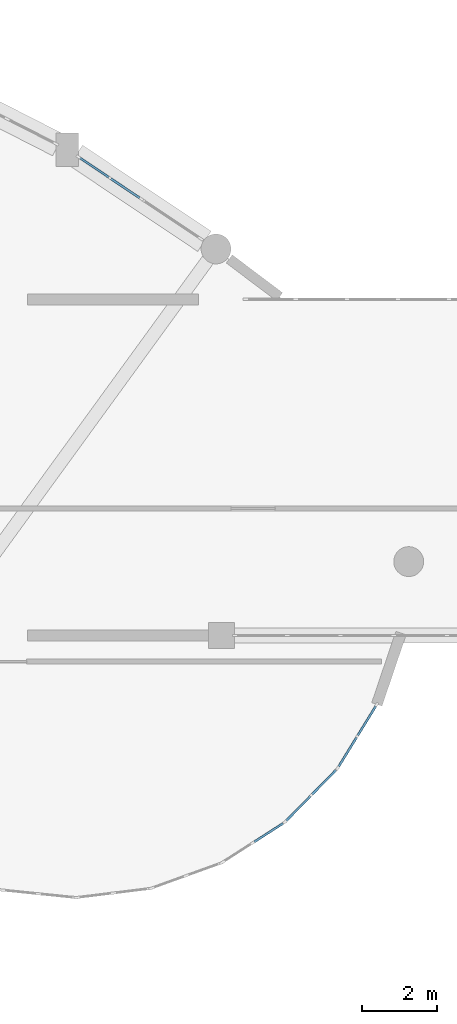
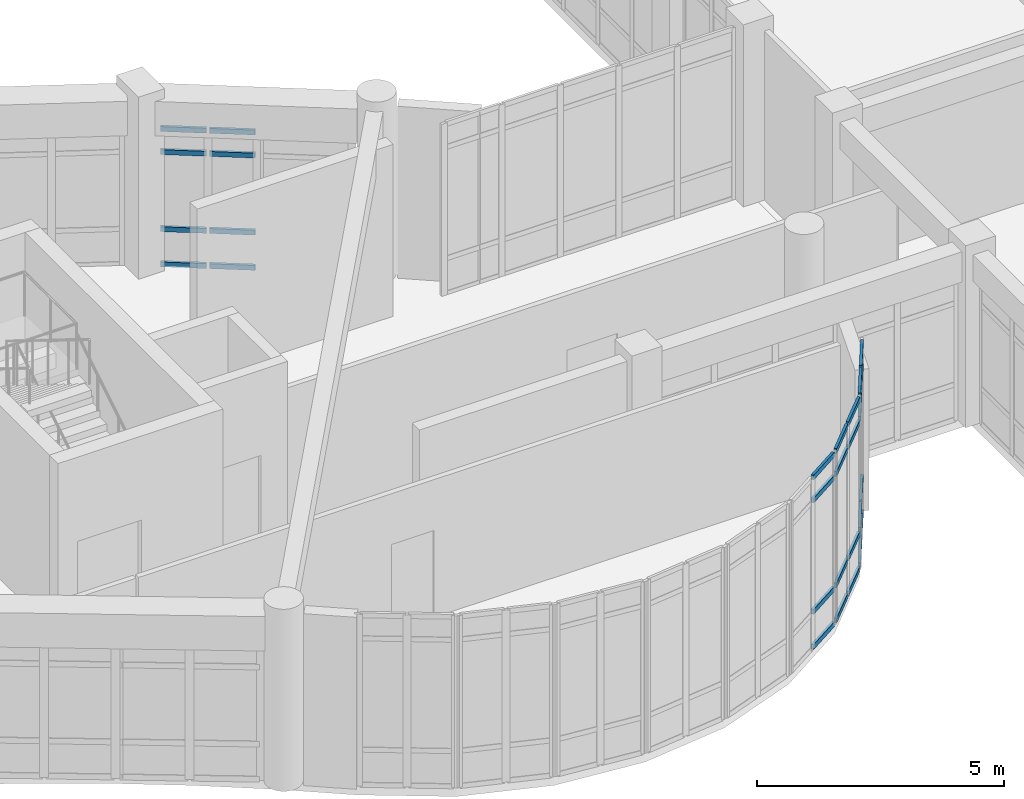
# One storey, part 30 of 57: 28 members, 4 elements without a shape of their own.
"""IFC4 building model written with IfcOpenShell, lengths in metres."""

from ifc_helpers import new_model, si_unit, direction, frame, origin, origin_2d, place, context, subcontext, project, spatial, rectangle, extrude, material, layer, layer_set, material_profile, profile_set, type_object, element, aggregate, save


model = new_model("IFC4")

# Units and contexts
model_context = context("Model", 3, precision=1e-05, world=origin(), true_north=direction((0.0, 1.0)))
body_context = subcontext(model_context, "Body", "Model", "MODEL_VIEW")
ifc_project = project(units=[si_unit("LENGTHUNIT", "METRE"), si_unit("AREAUNIT", "SQUARE_METRE"), si_unit("VOLUMEUNIT", "CUBIC_METRE"), si_unit("PLANEANGLEUNIT", "RADIAN"), si_unit("MASSUNIT", "GRAM", prefix="KILO")], contexts=[model_context])

# Site, building, storey
site_placement = place(None, origin())
site = spatial("IfcSite", under=ifc_project, at=site_placement, CompositionType="ELEMENT")
building_placement = place(site_placement, origin())
building = spatial("IfcBuilding", under=site, at=building_placement, Name="Miralva Faculty of Natural Sciences", CompositionType="ELEMENT")
storey_placement = place(building_placement, frame((0.0, 0.0, 15.0)))
storey = spatial("IfcBuildingStorey", under=building, at=storey_placement, Name="L03", CompositionType="ELEMENT", Elevation=15.0)

# Curtain wall, members
ifc_material_1 = material(Name="Laminated solar-control glass", Category="glass")
ifc_layer_1 = layer(ifc_material_1, 0.179931640625, Name="CW-ARC-L03")
ifc_layer_set_1 = layer_set([ifc_layer_1], Name="Laminated solar-control glass")
curtain_wall_type_1 = type_object("IfcCurtainWallType", Name="CW-ARC-L03", PredefinedType="USERDEFINED", material=ifc_layer_set_1)
curtain_wall_1_placement = place(storey_placement, origin())
curtain_wall_1 = element("IfcCurtainWall", 1, at=curtain_wall_1_placement, inside=storey, type_object=curtain_wall_type_1, Name="Curtain wall CW-03 L03-139", ObjectType="UNITISED CURTAIN WALL", PredefinedType="USERDEFINED")
ifc_material_2 = material(Name="Anodised aluminium", Category="aluminium")
ifc_material_profile = material_profile(ifc_material_2, rectangle(XDim=0.06005859375, YDim=0.1201171875, at=origin_2d()), Name="TRANSOM 60x120")
ifc_profile_set = profile_set([ifc_material_profile], Name="Anodised aluminium")
member_type = type_object("IfcMemberType", Name="CW-T02", PredefinedType="USERDEFINED", material=ifc_profile_set)
member_1_placement = place(storey_placement, frame((122.21337890625, 30.783203125, 0.030029296875), z_axis=(0.83148276453, -0.555550548815, 0.0), x_axis=(0.555550548815, 0.83148276453, 0.0)))
member_1 = element("IfcMember", 2, at=member_1_placement, type_object=member_type, Name="CW-03 transom 1.1", ObjectType="TRANSOM", PredefinedType="USERDEFINED", context=body_context, shape_type="SweptSolid", body=[
    extrude(rectangle(XDim=0.06005859375, YDim=0.1201171875, at=origin_2d()), origin(), (0.0, 0.0, 1.0), 0.92724609375),
])
member_2_placement = place(storey_placement, frame((122.21337890625, 30.783203125, 0.89990234375), z_axis=(0.83148276453, -0.555550548815, 0.0), x_axis=(0.555550548815, 0.83148276453, 0.0)))
member_2 = element("IfcMember", 3, at=member_2_placement, type_object=member_type, Name="CW-03 transom 1.2", ObjectType="TRANSOM", PredefinedType="USERDEFINED", context=body_context, shape_type="SweptSolid", body=[
    extrude(rectangle(XDim=0.06005859375, YDim=0.1201171875, at=origin_2d()), origin(), (0.0, 0.0, 1.0), 0.92724609375),
])
member_3_placement = place(storey_placement, frame((122.21337890625, 30.783203125, 2.804931640625), z_axis=(0.83148276453, -0.555550548815, 0.0), x_axis=(0.555550548815, 0.83148276453, 0.0)))
member_3 = element("IfcMember", 4, at=member_3_placement, type_object=member_type, Name="CW-03 transom 1.3", ObjectType="TRANSOM", PredefinedType="USERDEFINED", context=body_context, shape_type="SweptSolid", body=[
    extrude(rectangle(XDim=0.06005859375, YDim=0.1201171875, at=origin_2d()), origin(), (0.0, 0.0, 1.0), 0.92724609375),
])
member_4_placement = place(storey_placement, frame((122.21337890625, 30.783203125, 3.375), z_axis=(0.83148276453, -0.555550548815, 0.0), x_axis=(0.555550548815, 0.83148276453, 0.0)))
member_4 = element("IfcMember", 5, at=member_4_placement, type_object=member_type, Name="CW-03 transom 1.4", ObjectType="TRANSOM", PredefinedType="USERDEFINED", context=body_context, shape_type="SweptSolid", body=[
    extrude(rectangle(XDim=0.06005859375, YDim=0.1201171875, at=origin_2d()), origin(), (0.0, 0.0, 1.0), 0.92724609375),
])
member_5_placement = place(storey_placement, frame((123.03857421875, 30.23193359375, 0.030029296875), z_axis=(0.831361138772, -0.555732540832, 0.0), x_axis=(0.555732540832, 0.831361138772, 0.0)))
member_5 = element("IfcMember", 6, at=member_5_placement, type_object=member_type, Name="CW-03 transom 2.1", ObjectType="TRANSOM", PredefinedType="USERDEFINED", context=body_context, shape_type="SweptSolid", body=[
    extrude(rectangle(XDim=0.06005859375, YDim=0.1201171875, at=origin_2d()), origin(), (0.0, 0.0, 1.0), 0.927490234375),
])
member_6_placement = place(storey_placement, frame((123.03857421875, 30.23193359375, 0.89990234375), z_axis=(0.831361138772, -0.555732540832, 0.0), x_axis=(0.555732540832, 0.831361138772, 0.0)))
member_6 = element("IfcMember", 7, at=member_6_placement, type_object=member_type, Name="CW-03 transom 2.2", ObjectType="TRANSOM", PredefinedType="USERDEFINED", context=body_context, shape_type="SweptSolid", body=[
    extrude(rectangle(XDim=0.06005859375, YDim=0.1201171875, at=origin_2d()), origin(), (0.0, 0.0, 1.0), 0.927490234375),
])
member_7_placement = place(storey_placement, frame((123.03857421875, 30.23193359375, 2.804931640625), z_axis=(0.831361138772, -0.555732540832, 0.0), x_axis=(0.555732540832, 0.831361138772, 0.0)))
member_7 = element("IfcMember", 8, at=member_7_placement, type_object=member_type, Name="CW-03 transom 2.3", ObjectType="TRANSOM", PredefinedType="USERDEFINED", context=body_context, shape_type="SweptSolid", body=[
    extrude(rectangle(XDim=0.06005859375, YDim=0.1201171875, at=origin_2d()), origin(), (0.0, 0.0, 1.0), 0.927490234375),
])
member_8_placement = place(storey_placement, frame((123.03857421875, 30.23193359375, 3.375), z_axis=(0.831361138772, -0.555732540832, 0.0), x_axis=(0.555732540832, 0.831361138772, 0.0)))
member_8 = element("IfcMember", 9, at=member_8_placement, type_object=member_type, Name="CW-03 transom 2.4", ObjectType="TRANSOM", PredefinedType="USERDEFINED", context=body_context, shape_type="SweptSolid", body=[
    extrude(rectangle(XDim=0.06005859375, YDim=0.1201171875, at=origin_2d()), origin(), (0.0, 0.0, 1.0), 0.927490234375),
])
aggregate(curtain_wall_1, [member_1, member_2, member_3, member_4, member_5, member_6, member_7, member_8])

ifc_layer_2 = layer(ifc_material_1, 0.179931640625, Name="CW-RND-L03")
ifc_layer_set_2 = layer_set([ifc_layer_2], Name="Laminated solar-control glass")
curtain_wall_type_2 = type_object("IfcCurtainWallType", Name="CW-RND-L03", PredefinedType="USERDEFINED", material=ifc_layer_set_2)
curtain_wall_2_placement = place(storey_placement, origin())
curtain_wall_2 = element("IfcCurtainWall", 10, at=curtain_wall_2_placement, inside=storey, type_object=curtain_wall_type_2, Name="Curtain wall CW-06 L03-149", ObjectType="UNITISED CURTAIN WALL", PredefinedType="USERDEFINED")
member_9_placement = place(storey_placement, frame((129.140625, 14.490966796875, 0.030029296875), z_axis=(0.52351521274, 0.852016327326, 0.0), x_axis=(-0.852016327326, 0.52351521274, 0.0)))
member_9 = element("IfcMember", 11, at=member_9_placement, type_object=member_type, Name="CW-06 transom 1.1", ObjectType="TRANSOM", PredefinedType="USERDEFINED", context=body_context, shape_type="SweptSolid", body=[
    extrude(rectangle(XDim=0.06005859375, YDim=0.1201171875, at=origin_2d()), origin(), (0.0, 0.0, 1.0), 0.91259765625),
])
member_10_placement = place(storey_placement, frame((129.140625, 14.490966796875, 0.89990234375), z_axis=(0.52351521274, 0.852016327326, 0.0), x_axis=(-0.852016327326, 0.52351521274, 0.0)))
member_10 = element("IfcMember", 12, at=member_10_placement, type_object=member_type, Name="CW-06 transom 1.2", ObjectType="TRANSOM", PredefinedType="USERDEFINED", context=body_context, shape_type="SweptSolid", body=[
    extrude(rectangle(XDim=0.06005859375, YDim=0.1201171875, at=origin_2d()), origin(), (0.0, 0.0, 1.0), 0.91259765625),
])
member_11_placement = place(storey_placement, frame((129.140625, 14.490966796875, 3.64990234375), z_axis=(0.52351521274, 0.852016327326, 0.0), x_axis=(-0.852016327326, 0.52351521274, 0.0)))
member_11 = element("IfcMember", 13, at=member_11_placement, type_object=member_type, Name="CW-06 transom 1.3", ObjectType="TRANSOM", PredefinedType="USERDEFINED", context=body_context, shape_type="SweptSolid", body=[
    extrude(rectangle(XDim=0.06005859375, YDim=0.1201171875, at=origin_2d()), origin(), (0.0, 0.0, 1.0), 0.91259765625),
])
member_12_placement = place(storey_placement, frame((129.140625, 14.490966796875, 4.219970703125), z_axis=(0.52351521274, 0.852016327326, 0.0), x_axis=(-0.852016327326, 0.52351521274, 0.0)))
member_12 = element("IfcMember", 14, at=member_12_placement, type_object=member_type, Name="CW-06 transom 1.4", ObjectType="TRANSOM", PredefinedType="USERDEFINED", context=body_context, shape_type="SweptSolid", body=[
    extrude(rectangle(XDim=0.06005859375, YDim=0.1201171875, at=origin_2d()), origin(), (0.0, 0.0, 1.0), 0.91259765625),
])
member_13_placement = place(storey_placement, frame((129.65234375, 15.323974609375, 0.030029296875), z_axis=(0.523709365282, 0.851897001237, 0.0), x_axis=(-0.851897001237, 0.523709365282, 0.0)))
member_13 = element("IfcMember", 15, at=member_13_placement, type_object=member_type, Name="CW-06 transom 2.1", ObjectType="TRANSOM", PredefinedType="USERDEFINED", context=body_context, shape_type="SweptSolid", body=[
    extrude(rectangle(XDim=0.06005859375, YDim=0.1201171875, at=origin_2d()), origin(), (0.0, 0.0, 1.0), 0.912841796875),
])
member_14_placement = place(storey_placement, frame((129.65234375, 15.323974609375, 0.89990234375), z_axis=(0.523709365282, 0.851897001237, 0.0), x_axis=(-0.851897001237, 0.523709365282, 0.0)))
member_14 = element("IfcMember", 16, at=member_14_placement, type_object=member_type, Name="CW-06 transom 2.2", ObjectType="TRANSOM", PredefinedType="USERDEFINED", context=body_context, shape_type="SweptSolid", body=[
    extrude(rectangle(XDim=0.06005859375, YDim=0.1201171875, at=origin_2d()), origin(), (0.0, 0.0, 1.0), 0.912841796875),
])
member_15_placement = place(storey_placement, frame((129.65234375, 15.323974609375, 3.64990234375), z_axis=(0.523709365282, 0.851897001237, 0.0), x_axis=(-0.851897001237, 0.523709365282, 0.0)))
member_15 = element("IfcMember", 17, at=member_15_placement, type_object=member_type, Name="CW-06 transom 2.3", ObjectType="TRANSOM", PredefinedType="USERDEFINED", context=body_context, shape_type="SweptSolid", body=[
    extrude(rectangle(XDim=0.06005859375, YDim=0.1201171875, at=origin_2d()), origin(), (0.0, 0.0, 1.0), 0.912841796875),
])
member_16_placement = place(storey_placement, frame((129.65234375, 15.323974609375, 4.219970703125), z_axis=(0.523709365282, 0.851897001237, 0.0), x_axis=(-0.851897001237, 0.523709365282, 0.0)))
member_16 = element("IfcMember", 18, at=member_16_placement, type_object=member_type, Name="CW-06 transom 2.4", ObjectType="TRANSOM", PredefinedType="USERDEFINED", context=body_context, shape_type="SweptSolid", body=[
    extrude(rectangle(XDim=0.06005859375, YDim=0.1201171875, at=origin_2d()), origin(), (0.0, 0.0, 1.0), 0.912841796875),
])
aggregate(curtain_wall_2, [member_9, member_10, member_11, member_12, member_13, member_14, member_15, member_16])

curtain_wall_3_placement = place(storey_placement, origin())
curtain_wall_3 = element("IfcCurtainWall", 19, at=curtain_wall_3_placement, inside=storey, type_object=curtain_wall_type_2, Name="Curtain wall CW-06 L03-150", ObjectType="UNITISED CURTAIN WALL", PredefinedType="USERDEFINED")
member_17_placement = place(storey_placement, frame((127.7412109375, 13.042724609375, 0.030029296875), z_axis=(0.699983155997, 0.71415935289, 0.0), x_axis=(-0.71415935289, 0.699983155997, 0.0)))
member_17 = element("IfcMember", 20, at=member_17_placement, type_object=member_type, Name="CW-06 transom 1.1", ObjectType="TRANSOM", PredefinedType="USERDEFINED", context=body_context, shape_type="SweptSolid", body=[
    extrude(rectangle(XDim=0.06005859375, YDim=0.1201171875, at=origin_2d()), origin(), (0.0, 0.0, 1.0), 0.912841796875),
])
member_18_placement = place(storey_placement, frame((127.7412109375, 13.042724609375, 0.89990234375), z_axis=(0.699983155997, 0.71415935289, 0.0), x_axis=(-0.71415935289, 0.699983155997, 0.0)))
member_18 = element("IfcMember", 21, at=member_18_placement, type_object=member_type, Name="CW-06 transom 1.2", ObjectType="TRANSOM", PredefinedType="USERDEFINED", context=body_context, shape_type="SweptSolid", body=[
    extrude(rectangle(XDim=0.06005859375, YDim=0.1201171875, at=origin_2d()), origin(), (0.0, 0.0, 1.0), 0.912841796875),
])
member_19_placement = place(storey_placement, frame((127.7412109375, 13.042724609375, 3.64990234375), z_axis=(0.699983155997, 0.71415935289, 0.0), x_axis=(-0.71415935289, 0.699983155997, 0.0)))
member_19 = element("IfcMember", 22, at=member_19_placement, type_object=member_type, Name="CW-06 transom 1.3", ObjectType="TRANSOM", PredefinedType="USERDEFINED", context=body_context, shape_type="SweptSolid", body=[
    extrude(rectangle(XDim=0.06005859375, YDim=0.1201171875, at=origin_2d()), origin(), (0.0, 0.0, 1.0), 0.912841796875),
])
member_20_placement = place(storey_placement, frame((127.7412109375, 13.042724609375, 4.219970703125), z_axis=(0.699983155997, 0.71415935289, 0.0), x_axis=(-0.71415935289, 0.699983155997, 0.0)))
member_20 = element("IfcMember", 23, at=member_20_placement, type_object=member_type, Name="CW-06 transom 1.4", ObjectType="TRANSOM", PredefinedType="USERDEFINED", context=body_context, shape_type="SweptSolid", body=[
    extrude(rectangle(XDim=0.06005859375, YDim=0.1201171875, at=origin_2d()), origin(), (0.0, 0.0, 1.0), 0.912841796875),
])
member_21_placement = place(storey_placement, frame((128.425537109375, 13.740966796875, 0.030029296875), z_axis=(0.699983155997, 0.71415935289, 0.0), x_axis=(-0.71415935289, 0.699983155997, 0.0)))
member_21 = element("IfcMember", 24, at=member_21_placement, type_object=member_type, Name="CW-06 transom 2.1", ObjectType="TRANSOM", PredefinedType="USERDEFINED", context=body_context, shape_type="SweptSolid", body=[
    extrude(rectangle(XDim=0.06005859375, YDim=0.1201171875, at=origin_2d()), origin(), (0.0, 0.0, 1.0), 0.912841796875),
])
member_22_placement = place(storey_placement, frame((128.425537109375, 13.740966796875, 0.89990234375), z_axis=(0.699983155997, 0.71415935289, 0.0), x_axis=(-0.71415935289, 0.699983155997, 0.0)))
member_22 = element("IfcMember", 25, at=member_22_placement, type_object=member_type, Name="CW-06 transom 2.2", ObjectType="TRANSOM", PredefinedType="USERDEFINED", context=body_context, shape_type="SweptSolid", body=[
    extrude(rectangle(XDim=0.06005859375, YDim=0.1201171875, at=origin_2d()), origin(), (0.0, 0.0, 1.0), 0.912841796875),
])
member_23_placement = place(storey_placement, frame((128.425537109375, 13.740966796875, 3.64990234375), z_axis=(0.699983155997, 0.71415935289, 0.0), x_axis=(-0.71415935289, 0.699983155997, 0.0)))
member_23 = element("IfcMember", 26, at=member_23_placement, type_object=member_type, Name="CW-06 transom 2.3", ObjectType="TRANSOM", PredefinedType="USERDEFINED", context=body_context, shape_type="SweptSolid", body=[
    extrude(rectangle(XDim=0.06005859375, YDim=0.1201171875, at=origin_2d()), origin(), (0.0, 0.0, 1.0), 0.912841796875),
])
member_24_placement = place(storey_placement, frame((128.425537109375, 13.740966796875, 4.219970703125), z_axis=(0.699983155997, 0.71415935289, 0.0), x_axis=(-0.71415935289, 0.699983155997, 0.0)))
member_24 = element("IfcMember", 27, at=member_24_placement, type_object=member_type, Name="CW-06 transom 2.4", ObjectType="TRANSOM", PredefinedType="USERDEFINED", context=body_context, shape_type="SweptSolid", body=[
    extrude(rectangle(XDim=0.06005859375, YDim=0.1201171875, at=origin_2d()), origin(), (0.0, 0.0, 1.0), 0.912841796875),
])
aggregate(curtain_wall_3, [member_17, member_18, member_19, member_20, member_21, member_22, member_23, member_24])

curtain_wall_4_placement = place(storey_placement, origin())
curtain_wall_4 = element("IfcCurtainWall", 28, at=curtain_wall_4_placement, inside=storey, type_object=curtain_wall_type_2, Name="Curtain wall CW-06 L03-151", ObjectType="UNITISED CURTAIN WALL", PredefinedType="USERDEFINED")
member_25_placement = place(storey_placement, frame((126.877197265625, 12.470703125, 0.030029296875), z_axis=(0.841473826714, 0.540297879836, 0.0), x_axis=(-0.540297879836, 0.841473826714, 0.0)))
member_25 = element("IfcMember", 29, at=member_25_placement, type_object=member_type, Name="CW-06 transom 2.1", ObjectType="TRANSOM", PredefinedType="USERDEFINED", context=body_context, shape_type="SweptSolid", body=[
    extrude(rectangle(XDim=0.06005859375, YDim=0.1201171875, at=origin_2d()), origin(), (0.0, 0.0, 1.0), 0.912841796875),
])
member_26_placement = place(storey_placement, frame((126.877197265625, 12.470703125, 0.89990234375), z_axis=(0.841473826714, 0.540297879836, 0.0), x_axis=(-0.540297879836, 0.841473826714, 0.0)))
member_26 = element("IfcMember", 30, at=member_26_placement, type_object=member_type, Name="CW-06 transom 2.2", ObjectType="TRANSOM", PredefinedType="USERDEFINED", context=body_context, shape_type="SweptSolid", body=[
    extrude(rectangle(XDim=0.06005859375, YDim=0.1201171875, at=origin_2d()), origin(), (0.0, 0.0, 1.0), 0.912841796875),
])
member_27_placement = place(storey_placement, frame((126.877197265625, 12.470703125, 3.64990234375), z_axis=(0.841473826714, 0.540297879836, 0.0), x_axis=(-0.540297879836, 0.841473826714, 0.0)))
member_27 = element("IfcMember", 31, at=member_27_placement, type_object=member_type, Name="CW-06 transom 2.3", ObjectType="TRANSOM", PredefinedType="USERDEFINED", context=body_context, shape_type="SweptSolid", body=[
    extrude(rectangle(XDim=0.06005859375, YDim=0.1201171875, at=origin_2d()), origin(), (0.0, 0.0, 1.0), 0.912841796875),
])
member_28_placement = place(storey_placement, frame((126.877197265625, 12.470703125, 4.219970703125), z_axis=(0.841473826714, 0.540297879836, 0.0), x_axis=(-0.540297879836, 0.841473826714, 0.0)))
member_28 = element("IfcMember", 32, at=member_28_placement, type_object=member_type, Name="CW-06 transom 2.4", ObjectType="TRANSOM", PredefinedType="USERDEFINED", context=body_context, shape_type="SweptSolid", body=[
    extrude(rectangle(XDim=0.06005859375, YDim=0.1201171875, at=origin_2d()), origin(), (0.0, 0.0, 1.0), 0.912841796875),
])
aggregate(curtain_wall_4, [member_25, member_26, member_27, member_28])

save(model, "model.ifc")
